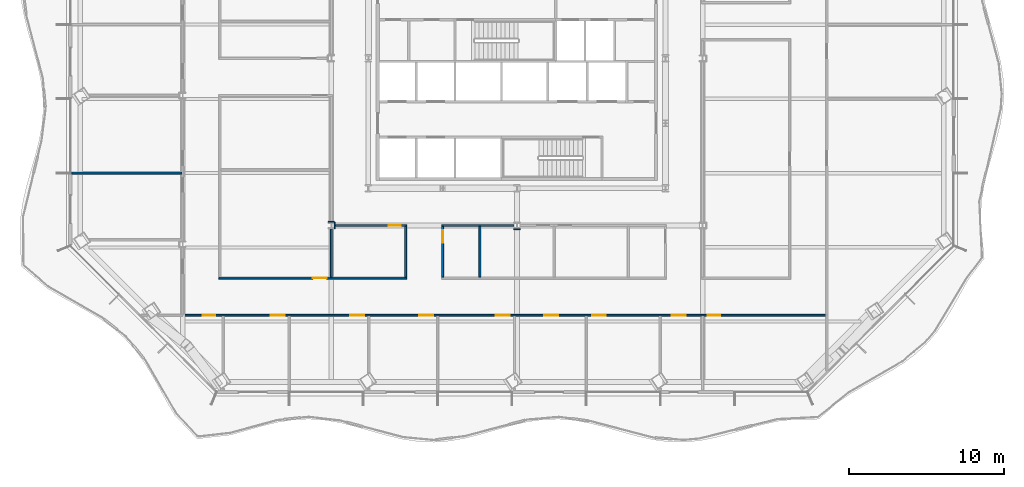
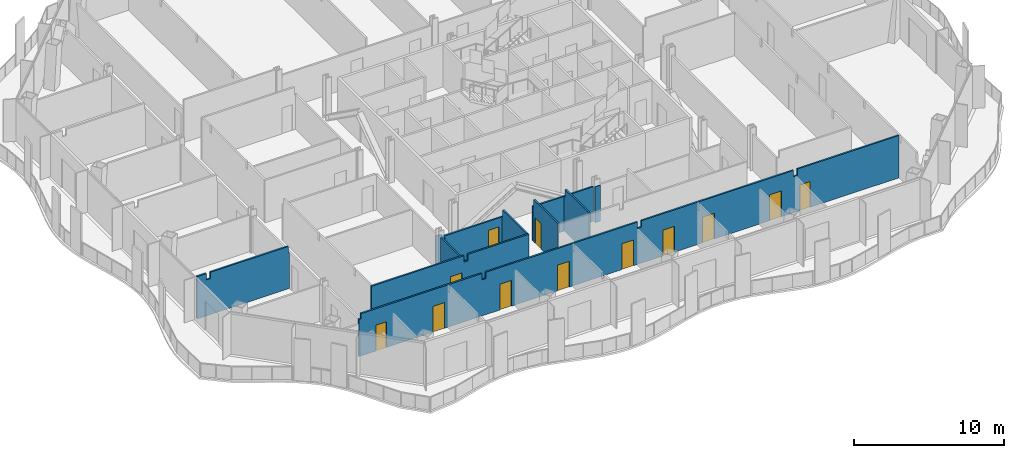
# One storey, part 8 of 22: 12 doors, 12 walls, 12 openings.
"""IFC4 building model written with IfcOpenShell, lengths in metres."""

import ifcopenshell
import ifcopenshell.guid

model = None  # the IFC model being written
_history = None  # IfcOwnerHistory: only IFC2X3 demands one
_inside = {}  # id of a spatial element -> (the spatial element, [elements in it])
_under = {}  # id of a project, library or spatial element -> (it, [spatial elements below it])
_declared = {}  # id of a project -> (the project, [libraries it declares])
_typed = {}  # id of a type object -> (the type object, [elements of that type])
_made_of = {}  # id of a material, layer set ... -> (it, [elements and type objects made of it])


def new_model(schema):
    """Start an empty IFC model of exactly this schema.

    Asked for "IFC4X3", IfcOpenShell would pick the latest addendum, in which some entities
    have other attributes; the version numbers below select the first issue.
    IFC2X3 requires an IfcOwnerHistory on every rooted entity: one is made here for all.
    """
    global model, _history
    if schema == "IFC4X3":
        model = ifcopenshell.file(schema_version=(4, 3, 0, 0))
    else:
        model = ifcopenshell.file(schema=schema)
    _inside.clear()
    _under.clear()
    _declared.clear()
    _typed.clear()
    _made_of.clear()
    _history = None
    if model.schema == "IFC2X3":
        org = make("IfcOrganization", Name="unknown")
        user = make(
            "IfcPersonAndOrganization",
            ThePerson=make("IfcPerson", FamilyName="unknown"),
            TheOrganization=org,
        )
        app = make(
            "IfcApplication",
            ApplicationDeveloper=org,
            Version="unknown",
            ApplicationFullName="unknown",
            ApplicationIdentifier="unknown",
        )
        _history = make(
            "IfcOwnerHistory",
            OwningUser=user,
            OwningApplication=app,
            ChangeAction="ADDED",
            CreationDate=0,
        )
    return model


def make(cls, **values):
    """One entity of the class cls with the attributes given. An attribute that is None is left unset."""
    return model.create_entity(
        cls, **{name: value for name, value in values.items() if value is not None}
    )


def rooted(cls, **values):
    """An entity with a GlobalId (a new one), such as an element, a storey or a relation."""
    return make(cls, GlobalId=ifcopenshell.guid.new(), OwnerHistory=_history, **values)


def si_unit(unit_type, name, prefix=None):
    """IfcSIUnit, for example si_unit("LENGTHUNIT", "METRE", prefix="MILLI")."""
    return make("IfcSIUnit", UnitType=unit_type, Prefix=prefix, Name=name)


def assignment(units):
    """IfcUnitAssignment: the units of a project."""
    return None if units is None else make("IfcUnitAssignment", Units=units)


def point(xyz):
    """IfcCartesianPoint."""
    return None if xyz is None else make("IfcCartesianPoint", Coordinates=xyz)


def direction(xyz):
    """IfcDirection."""
    return None if xyz is None else make("IfcDirection", DirectionRatios=xyz)


def frame(location, z_axis=None, x_axis=None):
    """IfcAxis2Placement3D, a coordinate frame: its origin and axes. An axis left out is left unset."""
    return make(
        "IfcAxis2Placement3D",
        Location=point(location),
        Axis=direction(z_axis),
        RefDirection=direction(x_axis),
    )


def frame_2d(location, x_axis=None):
    """IfcAxis2Placement2D, a coordinate frame in the plane: its origin and x axis."""
    return make(
        "IfcAxis2Placement2D", Location=point(location), RefDirection=direction(x_axis)
    )


def origin():
    """The frame at (0, 0, 0) with its axes left unset."""
    return frame((0.0, 0.0, 0.0))


def place(relative_to, where):
    """IfcLocalPlacement: puts the frame where relative to a parent placement (None: the world)."""
    return make(
        "IfcLocalPlacement", PlacementRelTo=relative_to, RelativePlacement=where
    )


def context(
    kind, dimensions, precision=None, world=None, true_north=None, identifier=None
):
    """IfcGeometricRepresentationContext, for example the 3D "Model" context."""
    return make(
        "IfcGeometricRepresentationContext",
        ContextIdentifier=identifier,
        ContextType=kind,
        CoordinateSpaceDimension=dimensions,
        Precision=precision,
        WorldCoordinateSystem=world,
        TrueNorth=true_north,
    )


def subcontext(parent, identifier, kind, view, scale=None):
    """IfcGeometricRepresentationSubContext, for example "Body" below "Model"."""
    return make(
        "IfcGeometricRepresentationSubContext",
        ContextIdentifier=identifier,
        ContextType=kind,
        ParentContext=parent,
        TargetScale=scale,
        TargetView=view,
    )


def project(units=None, contexts=None):
    """IfcProject with its units and contexts."""
    return rooted(
        "IfcProject",
        Name="project",
        RepresentationContexts=contexts,
        UnitsInContext=assignment(units),
    )


def spatial(cls, under=None, at=None, **own):
    """A site, building, storey or space (cls), placed at a placement, below another one or the project."""
    s = rooted(cls, ObjectPlacement=at, **own)
    if under is not None:
        _under.setdefault(under.id(), (under, []))[1].append(s)
    return s


def polyline(points):
    """IfcPolyline through the points."""
    return make("IfcPolyline", Points=[point(p) for p in points])


def profile(cls, at=None, kind="AREA", **sizes):
    """A parametric profile (cls). Its sizes go by their IFC names, for example OverallWidth=200.0."""
    return make(cls, ProfileType=kind, Position=at, **sizes)


def rectangle(**sizes):
    """IfcRectangleProfileDef."""
    return profile("IfcRectangleProfileDef", **sizes)


def outline(outer, holes=None, kind="AREA"):
    """IfcArbitraryClosedProfileDef: a profile drawn as a closed curve; with holes, ...WithVoids."""
    if holes is None:
        return make("IfcArbitraryClosedProfileDef", ProfileType=kind, OuterCurve=outer)
    return make(
        "IfcArbitraryProfileDefWithVoids",
        ProfileType=kind,
        OuterCurve=outer,
        InnerCurves=holes,
    )


def extrude(swept, where, along, depth):
    """IfcExtrudedAreaSolid: the profile swept, set in the frame where, extruded along a direction by depth."""
    return make(
        "IfcExtrudedAreaSolid",
        SweptArea=swept,
        Position=where,
        ExtrudedDirection=direction(along),
        Depth=depth,
    )


def shape(context_of_items, identifier, shape_type, items):
    """IfcShapeRepresentation: the items that make up one representation, for example the "Body"."""
    return make(
        "IfcShapeRepresentation",
        ContextOfItems=context_of_items,
        RepresentationIdentifier=identifier,
        RepresentationType=shape_type,
        Items=items,
    )


def material(Name=None, Category=None):
    """IfcMaterial."""
    return make("IfcMaterial", Name=Name, Category=Category)


def layer(
    of_material, thickness, ventilated=None, Name=None, Category=None, Priority=None
):
    """IfcMaterialLayer: one layer of a wall or slab, of a material (None: an air gap)."""
    return make(
        "IfcMaterialLayer",
        Material=of_material,
        LayerThickness=thickness,
        IsVentilated=ventilated,
        Name=Name,
        Category=Category,
        Priority=Priority,
    )


def layer_set(layers, Name=None):
    """IfcMaterialLayerSet."""
    return make("IfcMaterialLayerSet", MaterialLayers=layers, LayerSetName=Name)


def made_of(thing, what):
    """Note that an element or type object is made of a material, layer set ...; save() writes the relation."""
    if what is not None:
        _made_of.setdefault(what.id(), (what, []))[1].append(thing)
    return thing


def type_object(cls, material=None, **own):
    """A type object (cls), such as IfcWallType, which elements share."""
    return made_of(rooted(cls, **own), material)


def element(
    cls,
    number,
    at=None,
    inside=None,
    cuts=None,
    type_object=None,
    material=None,
    context=None,
    identifier="Body",
    shape_type=None,
    held_by="IfcProductDefinitionShape",
    body=None,
    shapes=None,
    **own,
):
    """One element of the class cls, such as IfcWall. Its Tag is "e" and its number.

    at: its placement. inside: the storey or other place that contains it. cuts: it is an
    opening in that element (IfcRelVoidsElement). A single representation is given by context,
    identifier, shape_type and body (its items); several are given by shapes. held_by: the class
    of the entity that holds the representations. save() writes the other relations.
    """
    e = rooted(cls, Tag="e%d" % number, ObjectPlacement=at, **own)
    if body is not None:
        shapes = [shape(context, identifier, shape_type, body)]
    if shapes is not None:
        e.Representation = make(held_by, Representations=shapes)
    if inside is not None:
        _inside.setdefault(inside.id(), (inside, []))[1].append(e)
    if cuts is not None:
        rooted(
            "IfcRelVoidsElement", RelatingBuildingElement=cuts, RelatedOpeningElement=e
        )
    if type_object is not None:
        _typed.setdefault(type_object.id(), (type_object, []))[1].append(e)
    return made_of(e, material)


def fill(opening, filler):
    """IfcRelFillsElement: the door or window that sits in an opening."""
    return rooted(
        "IfcRelFillsElement",
        RelatingOpeningElement=opening,
        RelatedBuildingElement=filler,
    )


def aggregate(whole, parts):
    """IfcRelAggregates: a whole, such as a stair, and the parts it consists of."""
    return rooted("IfcRelAggregates", RelatingObject=whole, RelatedObjects=parts)


def save(model, path):
    """Write the relations noted so far, then the file.

    IfcRelAggregates (storeys below a building ...), IfcRelContainedInSpatialStructure (elements
    in a storey), IfcRelDefinesByType, IfcRelAssociatesMaterial and IfcRelDeclares: one each for
    every whole, place, type object, material and project.
    """
    for whole, parts in _under.values():
        aggregate(whole, parts)
    for where, things in _inside.values():
        rooted(
            "IfcRelContainedInSpatialStructure",
            RelatedElements=things,
            RelatingStructure=where,
        )
    for kind, things in _typed.values():
        rooted("IfcRelDefinesByType", RelatedObjects=things, RelatingType=kind)
    for what, things in _made_of.values():
        rooted("IfcRelAssociatesMaterial", RelatedObjects=things, RelatingMaterial=what)
    for by, libraries in _declared.values():
        rooted("IfcRelDeclares", RelatingContext=by, RelatedDefinitions=libraries)
    model.write(path)


model = new_model("IFC4")

# Units and contexts
model_context = context("Model", 3, precision=1e-05, world=origin(), true_north=direction((0.0, 1.0)))
body_context = subcontext(model_context, "Body", "Model", "MODEL_VIEW")
ifc_project = project(units=[si_unit("LENGTHUNIT", "METRE"), si_unit("AREAUNIT", "SQUARE_METRE"), si_unit("VOLUMEUNIT", "CUBIC_METRE"), si_unit("PLANEANGLEUNIT", "RADIAN"), si_unit("MASSUNIT", "GRAM", prefix="KILO")], contexts=[model_context])

# Site, building, storey
site_placement = place(None, origin())
site = spatial("IfcSite", under=ifc_project, at=site_placement, CompositionType="ELEMENT")
building_placement = place(site_placement, origin())
building = spatial("IfcBuilding", under=site, at=building_placement, Name="Cairn Pilgrim Tower", CompositionType="ELEMENT")
storey_placement = place(building_placement, frame((0.0, 0.0, 112.199951171875)))
storey = spatial("IfcBuildingStorey", under=building, at=storey_placement, Name="L27", CompositionType="ELEMENT", Elevation=112.199951171875)

# Wall, openings, doors
ifc_material_1 = material(Name="Gypsum partition")
ifc_layer_1 = layer(ifc_material_1, 0.125)
ifc_layer_set_1 = layer_set([ifc_layer_1], Name="PARTITION 125 DRYWALL EI 60")
wall_type_1 = type_object("IfcWallType", Name="PARTITION 125 DRYWALL EI 60", PredefinedType="PARTITIONING", material=ifc_layer_set_1)
wall_1_placement = place(storey_placement, frame((-14.39990234375, -14.199951171875, 0.0), z_axis=(0.0, 0.0, 1.0), x_axis=(1.0, 0.0, 0.0)))
wall_1 = element("IfcWall", 1, at=wall_1_placement, inside=storey, type_object=wall_type_1, Name="PARTITION W016", PredefinedType="PARTITIONING", context=body_context, shape_type="SweptSolid", body=[
    extrude(outline(polyline([(0.0, 0.0), (41.5673828125, 0.0), (41.5673828125, 3.449951171875), (33.75, 3.449951171875), (33.748046875, 2.929931640625), (33.449951171875, 2.929931640625), (33.447998046875, 3.449951171875), (21.75, 3.449951171875), (21.748046875, 2.929931640625), (21.449951171875, 2.929931640625), (21.447998046875, 3.449951171875), (9.75, 3.449951171875), (9.748046875, 2.929931640625), (9.449951171875, 2.929931640625), (9.447998046875, 3.449951171875), (0.14990234375, 3.449951171875), (0.14794921875, 3.030029296875), (0.0, 3.030029296875), (0.0, 0.0)])), frame((0.0, 0.0625, 0.0), z_axis=(0.0, -1.0, 0.0), x_axis=(1.0, 0.0, 0.0)), (0.0, 0.0, 1.0), 0.125),
])
opening_1_placement = place(wall_1_placement, frame((1.300048828125, 0.0, 0.0)))
opening_1 = element("IfcOpeningElement", 2, at=opening_1_placement, cuts=wall_1, Name="Opening 2701", PredefinedType="OPENING", context=body_context, shape_type="SweptSolid", body=[
    extrude(rectangle(XDim=0.800048828125, YDim=2.10009765625, at=frame_2d((0.39990234375, 1.050048828125))), frame((0.0, 0.072509765625, 0.0), z_axis=(0.0, -1.0, 0.0), x_axis=(1.0, 0.0, 0.0)), (0.0, 0.0, 1.0), 0.14501953125),
])
opening_2_placement = place(wall_1_placement, frame((5.679931640625, 0.0, 0.0)))
opening_2 = element("IfcOpeningElement", 3, at=opening_2_placement, cuts=wall_1, Name="Opening 2702", PredefinedType="OPENING", context=body_context, shape_type="SweptSolid", body=[
    extrude(rectangle(XDim=0.89990234375, YDim=2.10009765625, at=frame_2d((0.449951171875, 1.050048828125))), frame((0.0, 0.072509765625, 0.0), z_axis=(0.0, -1.0, 0.0), x_axis=(1.0, 0.0, 0.0)), (0.0, 0.0, 1.0), 0.14501953125),
])
opening_3_placement = place(wall_1_placement, frame((10.825927734375, 0.0, 0.0)))
opening_3 = element("IfcOpeningElement", 4, at=opening_3_placement, cuts=wall_1, Name="Opening 2703", PredefinedType="OPENING", context=body_context, shape_type="SweptSolid", body=[
    extrude(rectangle(XDim=0.89990234375, YDim=2.10009765625, at=frame_2d((0.449951171875, 1.050048828125))), frame((0.0, 0.072509765625, 0.0), z_axis=(0.0, -1.0, 0.0), x_axis=(1.0, 0.0, 0.0)), (0.0, 0.0, 1.0), 0.14501953125),
])
opening_4_placement = place(wall_1_placement, frame((15.280029296875, 0.0, 0.0)))
opening_4 = element("IfcOpeningElement", 5, at=opening_4_placement, cuts=wall_1, Name="Opening 2704", PredefinedType="OPENING", context=body_context, shape_type="SweptSolid", body=[
    extrude(rectangle(XDim=0.89990234375, YDim=2.10009765625, at=frame_2d((0.449951171875, 1.050048828125))), frame((0.0, 0.072509765625, 0.0), z_axis=(0.0, -1.0, 0.0), x_axis=(1.0, 0.0, 0.0)), (0.0, 0.0, 1.0), 0.14501953125),
])
opening_5_placement = place(wall_1_placement, frame((20.239990234375, 0.0, 0.0)))
opening_5 = element("IfcOpeningElement", 6, at=opening_5_placement, cuts=wall_1, Name="Opening 2705", PredefinedType="OPENING", context=body_context, shape_type="SweptSolid", body=[
    extrude(rectangle(XDim=0.89990234375, YDim=2.10009765625, at=frame_2d((0.449951171875, 1.050048828125))), frame((0.0, 0.072509765625, 0.0), z_axis=(0.0, -1.0, 0.0), x_axis=(1.0, 0.0, 0.0)), (0.0, 0.0, 1.0), 0.14501953125),
])
opening_6_placement = place(wall_1_placement, frame((23.3798828125, 0.0, 0.0)))
opening_6 = element("IfcOpeningElement", 7, at=opening_6_placement, cuts=wall_1, Name="Opening 2706", PredefinedType="OPENING", context=body_context, shape_type="SweptSolid", body=[
    extrude(rectangle(XDim=0.89990234375, YDim=2.10009765625, at=frame_2d((0.449951171875, 1.050048828125))), frame((0.0, 0.072509765625, 0.0), z_axis=(0.0, -1.0, 0.0), x_axis=(1.0, 0.0, 0.0)), (0.0, 0.0, 1.0), 0.14501953125),
])
opening_7_placement = place(wall_1_placement, frame((26.452880859375, 0.0, 0.0)))
opening_7 = element("IfcOpeningElement", 8, at=opening_7_placement, cuts=wall_1, Name="Opening 2707", PredefinedType="OPENING", context=body_context, shape_type="SweptSolid", body=[
    extrude(rectangle(XDim=0.89990234375, YDim=2.10009765625, at=frame_2d((0.449951171875, 1.050048828125))), frame((0.0, 0.072509765625, 0.0), z_axis=(0.0, -1.0, 0.0), x_axis=(1.0, 0.0, 0.0)), (0.0, 0.0, 1.0), 0.14501953125),
])
opening_8_placement = place(wall_1_placement, frame((31.60009765625, 0.0, 0.0)))
opening_8 = element("IfcOpeningElement", 9, at=opening_8_placement, cuts=wall_1, Name="Opening 2708", PredefinedType="OPENING", context=body_context, shape_type="SweptSolid", body=[
    extrude(rectangle(XDim=0.89990234375, YDim=2.10009765625, at=frame_2d((0.449951171875, 1.050048828125))), frame((0.0, 0.072509765625, 0.0), z_axis=(0.0, -1.0, 0.0), x_axis=(1.0, 0.0, 0.0)), (0.0, 0.0, 1.0), 0.14501953125),
])
opening_9_placement = place(wall_1_placement, frame((33.929931640625, 0.0, 0.0)))
opening_9 = element("IfcOpeningElement", 10, at=opening_9_placement, cuts=wall_1, Name="Opening 2729", PredefinedType="OPENING", context=body_context, shape_type="SweptSolid", body=[
    extrude(rectangle(XDim=0.800048828125, YDim=2.10009765625, at=frame_2d((0.39990234375, 1.050048828125))), frame((0.0, 0.072509765625, 0.0), z_axis=(0.0, -1.0, 0.0), x_axis=(1.0, 0.0, 0.0)), (0.0, 0.0, 1.0), 0.14501953125),
])
ifc_material_2 = material(Name="Steel-faced fire door leaf", Category="steel")
door_type_1 = type_object("IfcDoorType", Name="FIRE DOOR 800x2100 FD30S", OperationType="NOTDEFINED", PredefinedType="DOOR", material=ifc_material_2)
door_1_placement = place(opening_1_placement, frame((0.800048828125, 0.0, 0.0), z_axis=(0.0, 0.0, 1.0), x_axis=(-1.0, 0.0, 0.0)))
door_1 = element("IfcDoor", 11, at=door_1_placement, inside=storey, type_object=door_type_1, Name="DOOR 2701", OperationType="SINGLE_SWING_RIGHT", OverallHeight=2.10009765625, OverallWidth=0.800048828125, PredefinedType="DOOR", context=body_context, shape_type="SweptSolid", body=[
    extrude(rectangle(XDim=0.800048828125, YDim=2.10009765625, at=frame_2d((0.39990234375, 1.050048828125))), frame((0.0, 0.02490234375, 0.0), z_axis=(0.0, -1.0, 0.0), x_axis=(1.0, 0.0, 0.0)), (0.0, 0.0, 1.0), 0.050048828125),
])
fill(opening_1, door_1)
door_2_placement = place(opening_9_placement, frame((0.800048828125, 0.0, 0.0), z_axis=(0.0, 0.0, 1.0), x_axis=(-1.0, 0.0, 0.0)))
door_2 = element("IfcDoor", 12, at=door_2_placement, inside=storey, type_object=door_type_1, Name="DOOR 2729", OperationType="SINGLE_SWING_RIGHT", OverallHeight=2.10009765625, OverallWidth=0.800048828125, PredefinedType="DOOR", context=body_context, shape_type="SweptSolid", body=[
    extrude(rectangle(XDim=0.800048828125, YDim=2.10009765625, at=frame_2d((0.39990234375, 1.050048828125))), frame((0.0, 0.02490234375, 0.0), z_axis=(0.0, -1.0, 0.0), x_axis=(1.0, 0.0, 0.0)), (0.0, 0.0, 1.0), 0.050048828125),
])
fill(opening_9, door_2)
door_type_2 = type_object("IfcDoorType", Name="FIRE DOOR 900x2100 FD30S", OperationType="NOTDEFINED", PredefinedType="DOOR", material=ifc_material_2)
door_3_placement = place(opening_2_placement, frame((0.89990234375, 0.0, 0.0), z_axis=(0.0, 0.0, 1.0), x_axis=(-1.0, 0.0, 0.0)))
door_3 = element("IfcDoor", 13, at=door_3_placement, inside=storey, type_object=door_type_2, Name="DOOR 2702", OperationType="SINGLE_SWING_LEFT", OverallHeight=2.10009765625, OverallWidth=0.89990234375, PredefinedType="DOOR", context=body_context, shape_type="SweptSolid", body=[
    extrude(rectangle(XDim=0.89990234375, YDim=2.10009765625, at=frame_2d((0.449951171875, 1.050048828125))), frame((0.0, 0.02490234375, 0.0), z_axis=(0.0, -1.0, 0.0), x_axis=(1.0, 0.0, 0.0)), (0.0, 0.0, 1.0), 0.050048828125),
])
fill(opening_2, door_3)
door_4_placement = place(opening_3_placement, frame((0.89990234375, 0.0, 0.0), z_axis=(0.0, 0.0, 1.0), x_axis=(-1.0, 0.0, 0.0)))
door_4 = element("IfcDoor", 14, at=door_4_placement, inside=storey, type_object=door_type_2, Name="DOOR 2703", OperationType="SINGLE_SWING_RIGHT", OverallHeight=2.10009765625, OverallWidth=0.89990234375, PredefinedType="DOOR", context=body_context, shape_type="SweptSolid", body=[
    extrude(rectangle(XDim=0.89990234375, YDim=2.10009765625, at=frame_2d((0.449951171875, 1.050048828125))), frame((0.0, 0.02490234375, 0.0), z_axis=(0.0, -1.0, 0.0), x_axis=(1.0, 0.0, 0.0)), (0.0, 0.0, 1.0), 0.050048828125),
])
fill(opening_3, door_4)
door_5_placement = place(opening_4_placement, frame((0.89990234375, 0.0, 0.0), z_axis=(0.0, 0.0, 1.0), x_axis=(-1.0, 0.0, 0.0)))
door_5 = element("IfcDoor", 15, at=door_5_placement, inside=storey, type_object=door_type_2, Name="DOOR 2704", OperationType="SINGLE_SWING_LEFT", OverallHeight=2.10009765625, OverallWidth=0.89990234375, PredefinedType="DOOR", context=body_context, shape_type="SweptSolid", body=[
    extrude(rectangle(XDim=0.89990234375, YDim=2.10009765625, at=frame_2d((0.449951171875, 1.050048828125))), frame((0.0, 0.02490234375, 0.0), z_axis=(0.0, -1.0, 0.0), x_axis=(1.0, 0.0, 0.0)), (0.0, 0.0, 1.0), 0.050048828125),
])
fill(opening_4, door_5)
door_6_placement = place(opening_5_placement, frame((0.89990234375, 0.0, 0.0), z_axis=(0.0, 0.0, 1.0), x_axis=(-1.0, 0.0, 0.0)))
door_6 = element("IfcDoor", 16, at=door_6_placement, inside=storey, type_object=door_type_2, Name="DOOR 2705", OperationType="SINGLE_SWING_RIGHT", OverallHeight=2.10009765625, OverallWidth=0.89990234375, PredefinedType="DOOR", context=body_context, shape_type="SweptSolid", body=[
    extrude(rectangle(XDim=0.89990234375, YDim=2.10009765625, at=frame_2d((0.449951171875, 1.050048828125))), frame((0.0, 0.02490234375, 0.0), z_axis=(0.0, -1.0, 0.0), x_axis=(1.0, 0.0, 0.0)), (0.0, 0.0, 1.0), 0.050048828125),
])
fill(opening_5, door_6)
door_7_placement = place(opening_6_placement, frame((0.89990234375, 0.0, 0.0), z_axis=(0.0, 0.0, 1.0), x_axis=(-1.0, 0.0, 0.0)))
door_7 = element("IfcDoor", 17, at=door_7_placement, inside=storey, type_object=door_type_2, Name="DOOR 2706", OperationType="SINGLE_SWING_LEFT", OverallHeight=2.10009765625, OverallWidth=0.89990234375, PredefinedType="DOOR", context=body_context, shape_type="SweptSolid", body=[
    extrude(rectangle(XDim=0.89990234375, YDim=2.10009765625, at=frame_2d((0.449951171875, 1.050048828125))), frame((0.0, 0.02490234375, 0.0), z_axis=(0.0, -1.0, 0.0), x_axis=(1.0, 0.0, 0.0)), (0.0, 0.0, 1.0), 0.050048828125),
])
fill(opening_6, door_7)
door_8_placement = place(opening_7_placement, frame((0.89990234375, 0.0, 0.0), z_axis=(0.0, 0.0, 1.0), x_axis=(-1.0, 0.0, 0.0)))
door_8 = element("IfcDoor", 18, at=door_8_placement, inside=storey, type_object=door_type_2, Name="DOOR 2707", OperationType="SINGLE_SWING_RIGHT", OverallHeight=2.10009765625, OverallWidth=0.89990234375, PredefinedType="DOOR", context=body_context, shape_type="SweptSolid", body=[
    extrude(rectangle(XDim=0.89990234375, YDim=2.10009765625, at=frame_2d((0.449951171875, 1.050048828125))), frame((0.0, 0.02490234375, 0.0), z_axis=(0.0, -1.0, 0.0), x_axis=(1.0, 0.0, 0.0)), (0.0, 0.0, 1.0), 0.050048828125),
])
fill(opening_7, door_8)
door_9_placement = place(opening_8_placement, frame((0.89990234375, 0.0, 0.0), z_axis=(0.0, 0.0, 1.0), x_axis=(-1.0, 0.0, 0.0)))
door_9 = element("IfcDoor", 19, at=door_9_placement, inside=storey, type_object=door_type_2, Name="DOOR 2708", OperationType="SINGLE_SWING_LEFT", OverallHeight=2.10009765625, OverallWidth=0.89990234375, PredefinedType="DOOR", context=body_context, shape_type="SweptSolid", body=[
    extrude(rectangle(XDim=0.89990234375, YDim=2.10009765625, at=frame_2d((0.449951171875, 1.050048828125))), frame((0.0, 0.02490234375, 0.0), z_axis=(0.0, -1.0, 0.0), x_axis=(1.0, 0.0, 0.0)), (0.0, 0.0, 1.0), 0.050048828125),
])
fill(opening_8, door_9)

# Wall, opening, door
wall_2_placement = place(storey_placement, frame((-12.0625, -11.800048828125, 0.0), z_axis=(0.0, 0.0, 1.0), x_axis=(1.0, 0.0, 0.0)))
wall_2 = element("IfcWall", 20, at=wall_2_placement, inside=storey, type_object=wall_type_1, Name="PARTITION W019", PredefinedType="PARTITIONING", context=body_context, shape_type="SweptSolid", body=[
    extrude(outline(polyline([(0.0, 0.0), (12.125, 0.0), (12.125, 3.449951171875), (7.41259765625, 3.449951171875), (7.410400390625, 2.929931640625), (7.112548828125, 2.929931640625), (7.110595703125, 3.449951171875), (0.0, 3.449951171875), (0.0, 0.0)])), frame((0.0, 0.0625, 0.0), z_axis=(0.0, -1.0, 0.0), x_axis=(1.0, 0.0, 0.0)), (0.0, 0.0, 1.0), 0.125),
])
opening_10_placement = place(wall_2_placement, frame((6.0625, 0.0, 0.0)))
opening_10 = element("IfcOpeningElement", 21, at=opening_10_placement, cuts=wall_2, Name="Opening 2730", PredefinedType="OPENING", context=body_context, shape_type="SweptSolid", body=[
    extrude(rectangle(XDim=0.89990234375, YDim=2.10009765625, at=frame_2d((0.449951171875, 1.050048828125))), frame((0.0, 0.072509765625, 0.0), z_axis=(0.0, -1.0, 0.0), x_axis=(1.0, 0.0, 0.0)), (0.0, 0.0, 1.0), 0.14501953125),
])
door_10_placement = place(opening_10_placement, origin())
door_10 = element("IfcDoor", 22, at=door_10_placement, inside=storey, type_object=door_type_2, Name="DOOR 2730", OperationType="SINGLE_SWING_LEFT", OverallHeight=2.10009765625, OverallWidth=0.89990234375, PredefinedType="DOOR", context=body_context, shape_type="SweptSolid", body=[
    extrude(rectangle(XDim=0.89990234375, YDim=2.10009765625, at=frame_2d((0.449951171875, 1.050048828125))), frame((0.0, 0.02490234375, 0.0), z_axis=(0.0, -1.0, 0.0), x_axis=(1.0, 0.0, 0.0)), (0.0, 0.0, 1.0), 0.050048828125),
])
fill(opening_10, door_10)

# Walls
wall_3_placement = place(storey_placement, frame((-4.800048828125, -11.737548828125, 0.0), z_axis=(0.0, 0.0, 1.0), x_axis=(0.0, 1.0, 0.0)))
element("IfcWall", 23, at=wall_3_placement, inside=storey, type_object=wall_type_1, Name="PARTITION W023", PredefinedType="PARTITIONING", context=body_context, shape_type="SweptSolid", body=[
    extrude(rectangle(XDim=3.125, YDim=0.125, at=frame_2d((1.5625, 0.0))), origin(), (0.0, 0.0, 1.0), 2.929931640625),
])
wall_4_placement = place(storey_placement, frame((0.0, -11.737548828125, 0.0), z_axis=(0.0, 0.0, 1.0), x_axis=(0.0, 1.0, 0.0)))
element("IfcWall", 24, at=wall_4_placement, inside=storey, type_object=wall_type_1, Name="PARTITION W024", PredefinedType="PARTITIONING", context=body_context, shape_type="SweptSolid", body=[
    extrude(outline(polyline([(0.0, 0.0), (3.275146484375, 0.0), (3.27490234375, 2.830078125), (3.1875, 2.830078125), (3.185546875, 3.449951171875), (0.0, 3.449951171875), (0.0, 0.0)])), frame((0.0, 0.0625, 0.0), z_axis=(0.0, -1.0, 0.0), x_axis=(1.0, 0.0, 0.0)), (0.0, 0.0, 1.0), 0.125),
])

# Wall, opening, door
wall_5_placement = place(storey_placement, frame((2.39990234375, -11.737548828125, 0.0), z_axis=(0.0, 0.0, 1.0), x_axis=(0.0, 1.0, 0.0)))
wall_5 = element("IfcWall", 25, at=wall_5_placement, inside=storey, type_object=wall_type_1, Name="PARTITION W025", PredefinedType="PARTITIONING", context=body_context, shape_type="SweptSolid", body=[
    extrude(outline(polyline([(0.0, 0.0), (3.275146484375, 0.0), (3.27490234375, 2.830078125), (3.1875, 2.830078125), (3.185546875, 3.449951171875), (0.0, 3.449951171875), (0.0, 0.0)])), frame((0.0, 0.0625, 0.0), z_axis=(0.0, -1.0, 0.0), x_axis=(1.0, 0.0, 0.0)), (0.0, 0.0, 1.0), 0.125),
])
opening_11_placement = place(wall_5_placement, frame((2.237548828125, 0.0, 0.0)))
opening_11 = element("IfcOpeningElement", 26, at=opening_11_placement, cuts=wall_5, Name="Opening 2735", PredefinedType="OPENING", context=body_context, shape_type="SweptSolid", body=[
    extrude(rectangle(XDim=0.800048828125, YDim=2.10009765625, at=frame_2d((0.39990234375, 1.050048828125))), frame((0.0, 0.072509765625, 0.0), z_axis=(0.0, -1.0, 0.0), x_axis=(1.0, 0.0, 0.0)), (0.0, 0.0, 1.0), 0.14501953125),
])
door_11_placement = place(opening_11_placement, frame((0.800048828125, 0.0, 0.0), z_axis=(0.0, 0.0, 1.0), x_axis=(-1.0, 0.0, 0.0)))
door_11 = element("IfcDoor", 27, at=door_11_placement, inside=storey, type_object=door_type_1, Name="DOOR 2735", OperationType="SINGLE_SWING_RIGHT", OverallHeight=2.10009765625, OverallWidth=0.800048828125, PredefinedType="DOOR", context=body_context, shape_type="SweptSolid", body=[
    extrude(rectangle(XDim=0.800048828125, YDim=2.10009765625, at=frame_2d((0.39990234375, 1.050048828125))), frame((0.0, 0.02490234375, 0.0), z_axis=(0.0, -1.0, 0.0), x_axis=(1.0, 0.0, 0.0)), (0.0, 0.0, 1.0), 0.050048828125),
])
fill(opening_11, door_11)

# Wall
wall_6_placement = place(storey_placement, frame((4.800048828125, -11.737548828125, 0.0), z_axis=(0.0, 0.0, 1.0), x_axis=(0.0, 1.0, 0.0)))
element("IfcWall", 28, at=wall_6_placement, inside=storey, type_object=wall_type_1, Name="PARTITION W026", PredefinedType="PARTITIONING", context=body_context, shape_type="SweptSolid", body=[
    extrude(outline(polyline([(0.0, 0.0), (3.275146484375, 0.0), (3.27490234375, 2.830078125), (3.1875, 2.830078125), (3.185546875, 3.449951171875), (0.0, 3.449951171875), (0.0, 0.0)])), frame((0.0, 0.0625, 0.0), z_axis=(0.0, -1.0, 0.0), x_axis=(1.0, 0.0, 0.0)), (0.0, 0.0, 1.0), 0.125),
])

# Wall, opening, door
wall_7_placement = place(storey_placement, frame((-4.595458984375, -8.39990234375, 0.0), z_axis=(0.0, 0.0, 1.0), x_axis=(1.0, 0.0, 0.0)))
wall_7 = element("IfcWall", 29, at=wall_7_placement, inside=storey, type_object=wall_type_1, Name="PARTITION W034", PredefinedType="PARTITIONING", context=body_context, shape_type="SweptSolid", body=[
    extrude(rectangle(XDim=4.657958984375, YDim=0.125, at=frame_2d((2.3291015625, 0.0))), origin(), (0.0, 0.0, 1.0), 2.830078125),
])
opening_12_placement = place(wall_7_placement, frame((3.49560546875, 0.0, 0.0)))
opening_12 = element("IfcOpeningElement", 30, at=opening_12_placement, cuts=wall_7, Name="Opening 2734", PredefinedType="OPENING", context=body_context, shape_type="SweptSolid", body=[
    extrude(rectangle(XDim=0.800048828125, YDim=2.10009765625, at=frame_2d((0.39990234375, 1.050048828125))), frame((0.0, 0.072509765625, 0.0), z_axis=(0.0, -1.0, 0.0), x_axis=(1.0, 0.0, 0.0)), (0.0, 0.0, 1.0), 0.14501953125),
])
door_12_placement = place(opening_12_placement, frame((0.800048828125, 0.0, 0.0), z_axis=(0.0, 0.0, 1.0), x_axis=(-1.0, 0.0, 0.0)))
door_12 = element("IfcDoor", 31, at=door_12_placement, inside=storey, type_object=door_type_1, Name="DOOR 2734", OperationType="SINGLE_SWING_LEFT", OverallHeight=2.10009765625, OverallWidth=0.800048828125, PredefinedType="DOOR", context=body_context, shape_type="SweptSolid", body=[
    extrude(rectangle(XDim=0.800048828125, YDim=2.10009765625, at=frame_2d((0.39990234375, 1.050048828125))), frame((0.0, 0.02490234375, 0.0), z_axis=(0.0, -1.0, 0.0), x_axis=(1.0, 0.0, 0.0)), (0.0, 0.0, 1.0), 0.050048828125),
])
fill(opening_12, door_12)

# Walls
wall_8_placement = place(storey_placement, frame((2.33740234375, -8.39990234375, 0.0), z_axis=(0.0, 0.0, 1.0), x_axis=(1.0, 0.0, 0.0)))
element("IfcWall", 32, at=wall_8_placement, inside=storey, type_object=wall_type_1, Name="PARTITION W035", PredefinedType="PARTITIONING", context=body_context, shape_type="SweptSolid", body=[
    extrude(rectangle(XDim=4.658203125, YDim=0.125, at=frame_2d((2.3291015625, 0.0))), origin(), (0.0, 0.0, 1.0), 2.830078125),
])
wall_9_placement = place(storey_placement, frame((-21.570556640625, -5.013916015625, 0.0), z_axis=(0.0, 0.0, 1.0), x_axis=(1.0, 0.0, 0.0)))
element("IfcWall", 33, at=wall_9_placement, inside=storey, type_object=wall_type_1, Name="PARTITION W039", PredefinedType="PARTITIONING", context=body_context, shape_type="SweptSolid", body=[
    extrude(outline(polyline([(0.0, 0.0), (7.108154296875, 0.0), (7.10791015625, 2.929931640625), (7.0205078125, 2.929931640625), (7.0185546875, 3.449951171875), (1.0205078125, 3.449951171875), (1.0185546875, 2.929931640625), (0.720458984375, 2.929931640625), (0.718505859375, 3.449951171875), (0.0, 3.449951171875), (0.0, 0.0)])), frame((0.0, 0.0625, 0.0), z_axis=(0.0, -1.0, 0.0), x_axis=(1.0, 0.0, 0.0)), (0.0, 0.0, 1.0), 0.125),
])
ifc_layer_2 = layer(ifc_material_1, 0.050048828125)
ifc_layer_set_2 = layer_set([ifc_layer_2], Name="PARTITION 50 DRYWALL EI 60")
wall_type_2 = type_object("IfcWallType", Name="PARTITION 50 DRYWALL EI 60", PredefinedType="PARTITIONING", material=ifc_layer_set_2)
wall_10_placement = place(storey_placement, frame((-4.570556640625, -8.612548828125, 0.0), z_axis=(0.0, 0.0, 1.0), x_axis=(0.0, 1.0, 0.0)))
element("IfcWall", 34, at=wall_10_placement, inside=storey, type_object=wall_type_2, Name="COLUMN CASING WC05", PredefinedType="PARTITIONING", context=body_context, shape_type="SweptSolid", body=[
    extrude(rectangle(XDim=0.425048828125, YDim=0.050048828125, at=frame_2d((0.21240234375, 0.0))), origin(), (0.0, 0.0, 1.0), 2.830078125),
])
wall_11_placement = place(storey_placement, frame((-5.00439453125, -8.16259765625, 0.0), z_axis=(0.0, 0.0, 1.0), x_axis=(1.0, 0.0, 0.0)))
element("IfcWall", 35, at=wall_11_placement, inside=storey, type_object=wall_type_2, Name="COLUMN CASING WC08", PredefinedType="PARTITIONING", context=body_context, shape_type="SweptSolid", body=[
    extrude(rectangle(XDim=0.408935546875, YDim=0.050048828125, at=frame_2d((0.20458984375, 0.0))), origin(), (0.0, 0.0, 1.0), 2.830078125),
])
wall_12_placement = place(storey_placement, frame((6.99560546875, -8.637451171875, 0.0), z_axis=(0.0, 0.0, 1.0), x_axis=(1.0, 0.0, 0.0)))
element("IfcWall", 36, at=wall_12_placement, inside=storey, type_object=wall_type_2, Name="COLUMN CASING WC09", PredefinedType="PARTITIONING", context=body_context, shape_type="SweptSolid", body=[
    extrude(rectangle(XDim=0.408935546875, YDim=0.050048828125, at=frame_2d((0.20458984375, 0.0))), origin(), (0.0, 0.0, 1.0), 2.929931640625),
])

save(model, "model.ifc")
